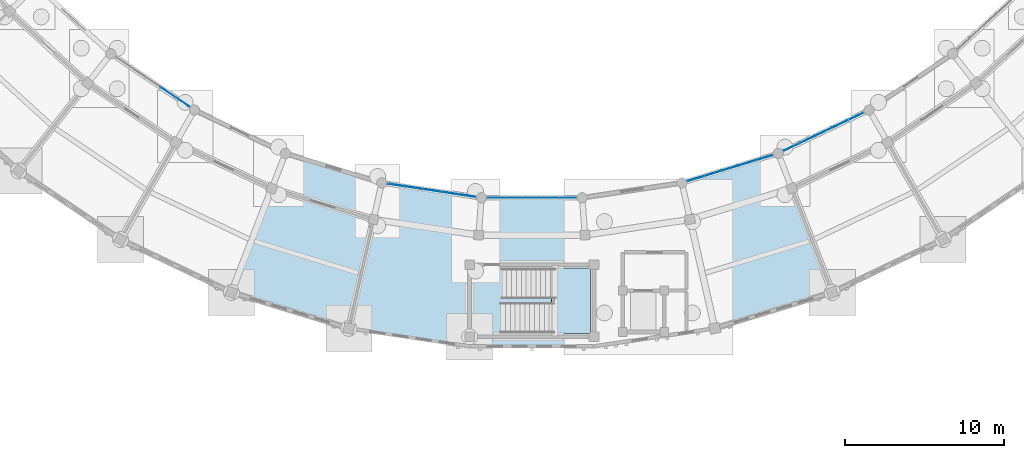
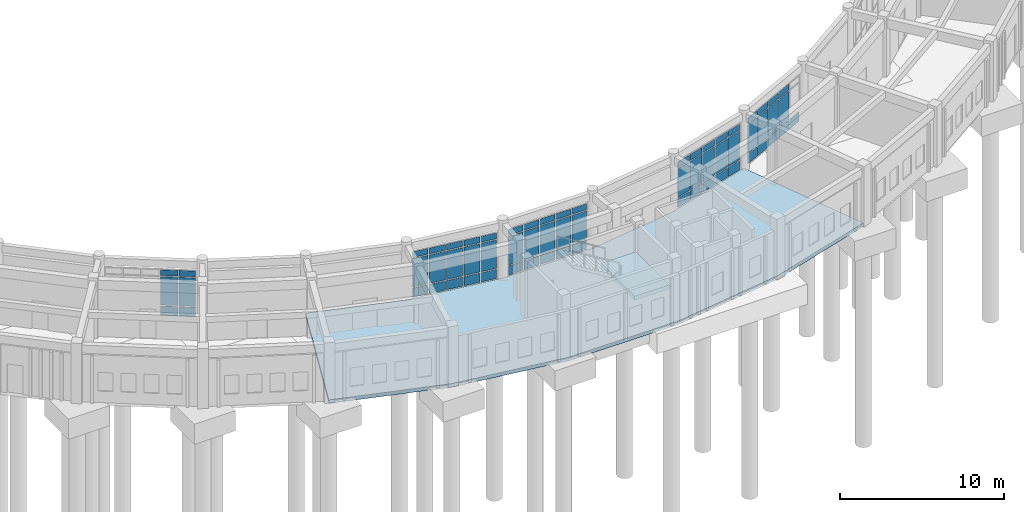
# One storey, part 105 of 153: 64 plates, 2 slabs, 6 elements without a shape of their own.
"""IFC4 building model written with IfcOpenShell, lengths in metres."""

from ifc_helpers import new_model, si_unit, direction, frame, origin, origin_2d, place, context, subcontext, project, spatial, polyline, rectangle, outline, extrude, material, layer, layer_set, type_object, element, aggregate, save


model = new_model("IFC4")

# Units and contexts
model_context = context("Model", 3, precision=1e-05, world=origin(), true_north=direction((0.0, 1.0)))
body_context = subcontext(model_context, "Body", "Model", "MODEL_VIEW")
ifc_project = project(units=[si_unit("LENGTHUNIT", "METRE"), si_unit("AREAUNIT", "SQUARE_METRE"), si_unit("VOLUMEUNIT", "CUBIC_METRE"), si_unit("PLANEANGLEUNIT", "RADIAN"), si_unit("MASSUNIT", "GRAM", prefix="KILO")], contexts=[model_context])

# Site, building, storey
site_placement = place(None, origin())
site = spatial("IfcSite", under=ifc_project, at=site_placement, CompositionType="ELEMENT")
building_placement = place(site_placement, origin())
building = spatial("IfcBuilding", under=site, at=building_placement, Name="Celadon Cloister-Ring School", CompositionType="ELEMENT")
storey_placement = place(building_placement, origin())
storey = spatial("IfcBuildingStorey", under=building, at=storey_placement, Name="L00", CompositionType="ELEMENT", Elevation=0.0)

# Curtain wall, plates
ifc_material_1 = material(Name="Aluminium EN AW-6063 T6", Category="aluminium")
curtain_wall_type = type_object("IfcCurtainWallType", Name="CW-01", PredefinedType="USERDEFINED", material=ifc_material_1)
curtain_wall_1_placement = place(storey_placement, origin())
curtain_wall_1 = element("IfcCurtainWall", 1, at=curtain_wall_1_placement, inside=storey, type_object=curtain_wall_type, Name="Curtain Wall 0008", ObjectType="CURTAIN WALL", PredefinedType="USERDEFINED")
ifc_material_2 = material(Name="Tempered laminated insulating glass", Category="glass")
ifc_layer_1 = layer(ifc_material_2, 0.028076171875)
ifc_layer_set_1 = layer_set([ifc_layer_1], Name="Tempered laminated insulating glass")
plate_type = type_object("IfcPlateType", Name="CPN-02", PredefinedType="CURTAIN_PANEL", material=ifc_layer_set_1)
plate_1_placement = place(storey_placement, frame((64.165771484375, 23.098388671875, 0.074951171875), z_axis=(0.0, 0.0, 1.0), x_axis=(0.829271759206, -0.558845550563, 0.0)))
plate_1 = element("IfcPlate", 2, at=plate_1_placement, type_object=plate_type, Name="CW-01 panel 4.1", PredefinedType="CURTAIN_PANEL", context=body_context, shape_type="SweptSolid", body=[
    extrude(rectangle(XDim=1.0537109375, YDim=0.028076171875, at=origin_2d()), origin(), (0.0, 0.0, 1.0), 0.6875),
])
plate_2_placement = place(storey_placement, frame((64.165771484375, 23.098388671875, 0.83740234375), z_axis=(0.0, 0.0, 1.0), x_axis=(0.829271759206, -0.558845550563, 0.0)))
plate_2 = element("IfcPlate", 3, at=plate_2_placement, type_object=plate_type, Name="CW-01 panel 4.2", PredefinedType="CURTAIN_PANEL", context=body_context, shape_type="SweptSolid", body=[
    extrude(rectangle(XDim=1.0537109375, YDim=0.028076171875, at=origin_2d()), origin(), (0.0, 0.0, 1.0), 2.125),
])
plate_3_placement = place(storey_placement, frame((64.165771484375, 23.098388671875, 3.03759765625), z_axis=(0.0, 0.0, 1.0), x_axis=(0.829271759206, -0.558845550563, 0.0)))
plate_3 = element("IfcPlate", 4, at=plate_3_placement, type_object=plate_type, Name="CW-01 panel 4.3", PredefinedType="CURTAIN_PANEL", context=body_context, shape_type="SweptSolid", body=[
    extrude(rectangle(XDim=1.0537109375, YDim=0.028076171875, at=origin_2d()), origin(), (0.0, 0.0, 1.0), 0.4375),
])
plate_4_placement = place(storey_placement, frame((65.08935546875, 22.47607421875, 0.074951171875), z_axis=(0.0, 0.0, 1.0), x_axis=(0.829271759206, -0.558845550563, 0.0)))
plate_4 = element("IfcPlate", 5, at=plate_4_placement, type_object=plate_type, Name="CW-01 panel 5.1", PredefinedType="CURTAIN_PANEL", context=body_context, shape_type="SweptSolid", body=[
    extrude(rectangle(XDim=1.013671875, YDim=0.028076171875, at=origin_2d()), origin(), (0.0, 0.0, 1.0), 0.6875),
])
plate_5_placement = place(storey_placement, frame((65.08935546875, 22.47607421875, 0.83740234375), z_axis=(0.0, 0.0, 1.0), x_axis=(0.829271759206, -0.558845550563, 0.0)))
plate_5 = element("IfcPlate", 6, at=plate_5_placement, type_object=plate_type, Name="CW-01 panel 5.2", PredefinedType="CURTAIN_PANEL", context=body_context, shape_type="SweptSolid", body=[
    extrude(rectangle(XDim=1.013671875, YDim=0.028076171875, at=origin_2d()), origin(), (0.0, 0.0, 1.0), 2.125),
])
plate_6_placement = place(storey_placement, frame((65.08935546875, 22.47607421875, 3.03759765625), z_axis=(0.0, 0.0, 1.0), x_axis=(0.829271759206, -0.558845550563, 0.0)))
plate_6 = element("IfcPlate", 7, at=plate_6_placement, type_object=plate_type, Name="CW-01 panel 5.3", PredefinedType="CURTAIN_PANEL", context=body_context, shape_type="SweptSolid", body=[
    extrude(rectangle(XDim=1.013671875, YDim=0.028076171875, at=origin_2d()), origin(), (0.0, 0.0, 1.0), 0.4375),
])
aggregate(curtain_wall_1, [plate_1, plate_2, plate_3, plate_4, plate_5, plate_6])

curtain_wall_2_placement = place(storey_placement, origin())
curtain_wall_2 = element("IfcCurtainWall", 8, at=curtain_wall_2_placement, inside=storey, type_object=curtain_wall_type, Name="Curtain Wall 0009", ObjectType="CURTAIN WALL", PredefinedType="USERDEFINED")
plate_7_placement = place(storey_placement, frame((78.493408203125, 17.266357421875, 0.074951171875), z_axis=(0.0, 0.0, 1.0), x_axis=(0.989015135282, -0.147814282744, 0.0)))
plate_7 = element("IfcPlate", 9, at=plate_7_placement, type_object=plate_type, Name="CW-01 panel 1.1", PredefinedType="CURTAIN_PANEL", context=body_context, shape_type="SweptSolid", body=[
    extrude(rectangle(XDim=1.013916015625, YDim=0.028076171875, at=origin_2d()), origin(), (0.0, 0.0, 1.0), 0.6875),
])
plate_8_placement = place(storey_placement, frame((78.493408203125, 17.266357421875, 0.83740234375), z_axis=(0.0, 0.0, 1.0), x_axis=(0.989015135282, -0.147814282744, 0.0)))
plate_8 = element("IfcPlate", 10, at=plate_8_placement, type_object=plate_type, Name="CW-01 panel 1.2", PredefinedType="CURTAIN_PANEL", context=body_context, shape_type="SweptSolid", body=[
    extrude(rectangle(XDim=1.013916015625, YDim=0.028076171875, at=origin_2d()), origin(), (0.0, 0.0, 1.0), 2.125),
])
plate_9_placement = place(storey_placement, frame((78.493408203125, 17.266357421875, 3.03759765625), z_axis=(0.0, 0.0, 1.0), x_axis=(0.989015135282, -0.147814282744, 0.0)))
plate_9 = element("IfcPlate", 11, at=plate_9_placement, type_object=plate_type, Name="CW-01 panel 1.3", PredefinedType="CURTAIN_PANEL", context=body_context, shape_type="SweptSolid", body=[
    extrude(rectangle(XDim=1.013916015625, YDim=0.028076171875, at=origin_2d()), origin(), (0.0, 0.0, 1.0), 0.4375),
])
plate_10_placement = place(storey_placement, frame((79.59521484375, 17.1015625, 0.074951171875), z_axis=(0.0, 0.0, 1.0), x_axis=(0.989015135282, -0.147814282744, 0.0)))
plate_10 = element("IfcPlate", 12, at=plate_10_placement, type_object=plate_type, Name="CW-01 panel 2.1", PredefinedType="CURTAIN_PANEL", context=body_context, shape_type="SweptSolid", body=[
    extrude(rectangle(XDim=1.053955078125, YDim=0.028076171875, at=origin_2d()), origin(), (0.0, 0.0, 1.0), 0.6875),
])
plate_11_placement = place(storey_placement, frame((79.59521484375, 17.1015625, 0.83740234375), z_axis=(0.0, 0.0, 1.0), x_axis=(0.989015135282, -0.147814282744, 0.0)))
plate_11 = element("IfcPlate", 13, at=plate_11_placement, type_object=plate_type, Name="CW-01 panel 2.2", PredefinedType="CURTAIN_PANEL", context=body_context, shape_type="SweptSolid", body=[
    extrude(rectangle(XDim=1.053955078125, YDim=0.028076171875, at=origin_2d()), origin(), (0.0, 0.0, 1.0), 2.125),
])
plate_12_placement = place(storey_placement, frame((79.59521484375, 17.1015625, 3.03759765625), z_axis=(0.0, 0.0, 1.0), x_axis=(0.989015135282, -0.147814282744, 0.0)))
plate_12 = element("IfcPlate", 14, at=plate_12_placement, type_object=plate_type, Name="CW-01 panel 2.3", PredefinedType="CURTAIN_PANEL", context=body_context, shape_type="SweptSolid", body=[
    extrude(rectangle(XDim=1.053955078125, YDim=0.028076171875, at=origin_2d()), origin(), (0.0, 0.0, 1.0), 0.4375),
])
plate_13_placement = place(storey_placement, frame((80.716552734375, 16.93408203125, 0.074951171875), z_axis=(0.0, 0.0, 1.0), x_axis=(0.989015135282, -0.147814282744, 0.0)))
plate_13 = element("IfcPlate", 15, at=plate_13_placement, type_object=plate_type, Name="CW-01 panel 3.1", PredefinedType="CURTAIN_PANEL", context=body_context, shape_type="SweptSolid", body=[
    extrude(rectangle(XDim=1.053955078125, YDim=0.028076171875, at=origin_2d()), origin(), (0.0, 0.0, 1.0), 0.6875),
])
plate_14_placement = place(storey_placement, frame((80.716552734375, 16.93408203125, 0.83740234375), z_axis=(0.0, 0.0, 1.0), x_axis=(0.989015135282, -0.147814282744, 0.0)))
plate_14 = element("IfcPlate", 16, at=plate_14_placement, type_object=plate_type, Name="CW-01 panel 3.2", PredefinedType="CURTAIN_PANEL", context=body_context, shape_type="SweptSolid", body=[
    extrude(rectangle(XDim=1.053955078125, YDim=0.028076171875, at=origin_2d()), origin(), (0.0, 0.0, 1.0), 2.125),
])
plate_15_placement = place(storey_placement, frame((80.716552734375, 16.93408203125, 3.03759765625), z_axis=(0.0, 0.0, 1.0), x_axis=(0.989015135282, -0.147814282744, 0.0)))
plate_15 = element("IfcPlate", 17, at=plate_15_placement, type_object=plate_type, Name="CW-01 panel 3.3", PredefinedType="CURTAIN_PANEL", context=body_context, shape_type="SweptSolid", body=[
    extrude(rectangle(XDim=1.053955078125, YDim=0.028076171875, at=origin_2d()), origin(), (0.0, 0.0, 1.0), 0.4375),
])
plate_16_placement = place(storey_placement, frame((81.837890625, 16.766357421875, 0.074951171875), z_axis=(0.0, 0.0, 1.0), x_axis=(0.989015135282, -0.147814282744, 0.0)))
plate_16 = element("IfcPlate", 18, at=plate_16_placement, type_object=plate_type, Name="CW-01 panel 4.1", PredefinedType="CURTAIN_PANEL", context=body_context, shape_type="SweptSolid", body=[
    extrude(rectangle(XDim=1.053955078125, YDim=0.028076171875, at=origin_2d()), origin(), (0.0, 0.0, 1.0), 0.6875),
])
plate_17_placement = place(storey_placement, frame((81.837890625, 16.766357421875, 0.83740234375), z_axis=(0.0, 0.0, 1.0), x_axis=(0.989015135282, -0.147814282744, 0.0)))
plate_17 = element("IfcPlate", 19, at=plate_17_placement, type_object=plate_type, Name="CW-01 panel 4.2", PredefinedType="CURTAIN_PANEL", context=body_context, shape_type="SweptSolid", body=[
    extrude(rectangle(XDim=1.053955078125, YDim=0.028076171875, at=origin_2d()), origin(), (0.0, 0.0, 1.0), 2.125),
])
plate_18_placement = place(storey_placement, frame((81.837890625, 16.766357421875, 3.03759765625), z_axis=(0.0, 0.0, 1.0), x_axis=(0.989015135282, -0.147814282744, 0.0)))
plate_18 = element("IfcPlate", 20, at=plate_18_placement, type_object=plate_type, Name="CW-01 panel 4.3", PredefinedType="CURTAIN_PANEL", context=body_context, shape_type="SweptSolid", body=[
    extrude(rectangle(XDim=1.053955078125, YDim=0.028076171875, at=origin_2d()), origin(), (0.0, 0.0, 1.0), 0.4375),
])
plate_19_placement = place(storey_placement, frame((82.939453125, 16.601806640625, 0.074951171875), z_axis=(0.0, 0.0, 1.0), x_axis=(0.989015135282, -0.147814282744, 0.0)))
plate_19 = element("IfcPlate", 21, at=plate_19_placement, type_object=plate_type, Name="CW-01 panel 5.1", PredefinedType="CURTAIN_PANEL", context=body_context, shape_type="SweptSolid", body=[
    extrude(rectangle(XDim=1.013916015625, YDim=0.028076171875, at=origin_2d()), origin(), (0.0, 0.0, 1.0), 0.6875),
])
plate_20_placement = place(storey_placement, frame((82.939453125, 16.601806640625, 0.83740234375), z_axis=(0.0, 0.0, 1.0), x_axis=(0.989015135282, -0.147814282744, 0.0)))
plate_20 = element("IfcPlate", 22, at=plate_20_placement, type_object=plate_type, Name="CW-01 panel 5.2", PredefinedType="CURTAIN_PANEL", context=body_context, shape_type="SweptSolid", body=[
    extrude(rectangle(XDim=1.013916015625, YDim=0.028076171875, at=origin_2d()), origin(), (0.0, 0.0, 1.0), 2.125),
])
plate_21_placement = place(storey_placement, frame((82.939453125, 16.601806640625, 3.03759765625), z_axis=(0.0, 0.0, 1.0), x_axis=(0.989015135282, -0.147814282744, 0.0)))
plate_21 = element("IfcPlate", 23, at=plate_21_placement, type_object=plate_type, Name="CW-01 panel 5.3", PredefinedType="CURTAIN_PANEL", context=body_context, shape_type="SweptSolid", body=[
    extrude(rectangle(XDim=1.013916015625, YDim=0.028076171875, at=origin_2d()), origin(), (0.0, 0.0, 1.0), 0.4375),
])
aggregate(curtain_wall_2, [plate_7, plate_8, plate_9, plate_10, plate_11, plate_12, plate_13, plate_14, plate_15, plate_16, plate_17, plate_18, plate_19, plate_20, plate_21])

curtain_wall_3_placement = place(storey_placement, origin())
curtain_wall_3 = element("IfcCurtainWall", 24, at=curtain_wall_3_placement, inside=storey, type_object=curtain_wall_type, Name="Curtain Wall 0010", ObjectType="CURTAIN WALL", PredefinedType="USERDEFINED")
plate_22_placement = place(storey_placement, frame((84.752685546875, 16.467041015625, 0.074951171875), z_axis=(0.0, 0.0, 1.0), x_axis=(1.0, 0.0, 0.0)))
plate_22 = element("IfcPlate", 25, at=plate_22_placement, type_object=plate_type, Name="CW-01 panel 1.1", PredefinedType="CURTAIN_PANEL", context=body_context, shape_type="SweptSolid", body=[
    extrude(rectangle(XDim=1.013671875, YDim=0.028076171875, at=origin_2d()), origin(), (0.0, 0.0, 1.0), 0.6875),
])
plate_23_placement = place(storey_placement, frame((84.752685546875, 16.467041015625, 0.83740234375), z_axis=(0.0, 0.0, 1.0), x_axis=(1.0, 0.0, 0.0)))
plate_23 = element("IfcPlate", 26, at=plate_23_placement, type_object=plate_type, Name="CW-01 panel 1.2", PredefinedType="CURTAIN_PANEL", context=body_context, shape_type="SweptSolid", body=[
    extrude(rectangle(XDim=1.013671875, YDim=0.028076171875, at=origin_2d()), origin(), (0.0, 0.0, 1.0), 2.125),
])
plate_24_placement = place(storey_placement, frame((84.752685546875, 16.467041015625, 3.03759765625), z_axis=(0.0, 0.0, 1.0), x_axis=(1.0, 0.0, 0.0)))
plate_24 = element("IfcPlate", 27, at=plate_24_placement, type_object=plate_type, Name="CW-01 panel 1.3", PredefinedType="CURTAIN_PANEL", context=body_context, shape_type="SweptSolid", body=[
    extrude(rectangle(XDim=1.013671875, YDim=0.028076171875, at=origin_2d()), origin(), (0.0, 0.0, 1.0), 0.4375),
])
plate_25_placement = place(storey_placement, frame((85.866455078125, 16.467041015625, 0.074951171875), z_axis=(0.0, 0.0, 1.0), x_axis=(1.0, 0.0, 0.0)))
plate_25 = element("IfcPlate", 28, at=plate_25_placement, type_object=plate_type, Name="CW-01 panel 2.1", PredefinedType="CURTAIN_PANEL", context=body_context, shape_type="SweptSolid", body=[
    extrude(rectangle(XDim=1.0537109375, YDim=0.028076171875, at=origin_2d()), origin(), (0.0, 0.0, 1.0), 0.6875),
])
plate_26_placement = place(storey_placement, frame((85.866455078125, 16.467041015625, 0.83740234375), z_axis=(0.0, 0.0, 1.0), x_axis=(1.0, 0.0, 0.0)))
plate_26 = element("IfcPlate", 29, at=plate_26_placement, type_object=plate_type, Name="CW-01 panel 2.2", PredefinedType="CURTAIN_PANEL", context=body_context, shape_type="SweptSolid", body=[
    extrude(rectangle(XDim=1.0537109375, YDim=0.028076171875, at=origin_2d()), origin(), (0.0, 0.0, 1.0), 2.125),
])
plate_27_placement = place(storey_placement, frame((85.866455078125, 16.467041015625, 3.03759765625), z_axis=(0.0, 0.0, 1.0), x_axis=(1.0, 0.0, 0.0)))
plate_27 = element("IfcPlate", 30, at=plate_27_placement, type_object=plate_type, Name="CW-01 panel 2.3", PredefinedType="CURTAIN_PANEL", context=body_context, shape_type="SweptSolid", body=[
    extrude(rectangle(XDim=1.0537109375, YDim=0.028076171875, at=origin_2d()), origin(), (0.0, 0.0, 1.0), 0.4375),
])
plate_28_placement = place(storey_placement, frame((87.0, 16.467041015625, 0.074951171875), z_axis=(0.0, 0.0, 1.0), x_axis=(1.0, 0.0, 0.0)))
plate_28 = element("IfcPlate", 31, at=plate_28_placement, type_object=plate_type, Name="CW-01 panel 3.1", PredefinedType="CURTAIN_PANEL", context=body_context, shape_type="SweptSolid", body=[
    extrude(rectangle(XDim=1.0537109375, YDim=0.028076171875, at=origin_2d()), origin(), (0.0, 0.0, 1.0), 0.6875),
])
plate_29_placement = place(storey_placement, frame((87.0, 16.467041015625, 0.83740234375), z_axis=(0.0, 0.0, 1.0), x_axis=(1.0, 0.0, 0.0)))
plate_29 = element("IfcPlate", 32, at=plate_29_placement, type_object=plate_type, Name="CW-01 panel 3.2", PredefinedType="CURTAIN_PANEL", context=body_context, shape_type="SweptSolid", body=[
    extrude(rectangle(XDim=1.0537109375, YDim=0.028076171875, at=origin_2d()), origin(), (0.0, 0.0, 1.0), 2.125),
])
plate_30_placement = place(storey_placement, frame((87.0, 16.467041015625, 3.03759765625), z_axis=(0.0, 0.0, 1.0), x_axis=(1.0, 0.0, 0.0)))
plate_30 = element("IfcPlate", 33, at=plate_30_placement, type_object=plate_type, Name="CW-01 panel 3.3", PredefinedType="CURTAIN_PANEL", context=body_context, shape_type="SweptSolid", body=[
    extrude(rectangle(XDim=1.0537109375, YDim=0.028076171875, at=origin_2d()), origin(), (0.0, 0.0, 1.0), 0.4375),
])
plate_31_placement = place(storey_placement, frame((88.133544921875, 16.467041015625, 0.074951171875), z_axis=(0.0, 0.0, 1.0), x_axis=(1.0, 0.0, 0.0)))
plate_31 = element("IfcPlate", 34, at=plate_31_placement, type_object=plate_type, Name="CW-01 panel 4.1", PredefinedType="CURTAIN_PANEL", context=body_context, shape_type="SweptSolid", body=[
    extrude(rectangle(XDim=1.0537109375, YDim=0.028076171875, at=origin_2d()), origin(), (0.0, 0.0, 1.0), 0.6875),
])
plate_32_placement = place(storey_placement, frame((88.133544921875, 16.467041015625, 0.83740234375), z_axis=(0.0, 0.0, 1.0), x_axis=(1.0, 0.0, 0.0)))
plate_32 = element("IfcPlate", 35, at=plate_32_placement, type_object=plate_type, Name="CW-01 panel 4.2", PredefinedType="CURTAIN_PANEL", context=body_context, shape_type="SweptSolid", body=[
    extrude(rectangle(XDim=1.0537109375, YDim=0.028076171875, at=origin_2d()), origin(), (0.0, 0.0, 1.0), 2.125),
])
plate_33_placement = place(storey_placement, frame((88.133544921875, 16.467041015625, 3.03759765625), z_axis=(0.0, 0.0, 1.0), x_axis=(1.0, 0.0, 0.0)))
plate_33 = element("IfcPlate", 36, at=plate_33_placement, type_object=plate_type, Name="CW-01 panel 4.3", PredefinedType="CURTAIN_PANEL", context=body_context, shape_type="SweptSolid", body=[
    extrude(rectangle(XDim=1.0537109375, YDim=0.028076171875, at=origin_2d()), origin(), (0.0, 0.0, 1.0), 0.4375),
])
plate_34_placement = place(storey_placement, frame((89.247314453125, 16.467041015625, 0.074951171875), z_axis=(0.0, 0.0, 1.0), x_axis=(1.0, 0.0, 0.0)))
plate_34 = element("IfcPlate", 37, at=plate_34_placement, type_object=plate_type, Name="CW-01 panel 5.1", PredefinedType="CURTAIN_PANEL", context=body_context, shape_type="SweptSolid", body=[
    extrude(rectangle(XDim=1.013671875, YDim=0.028076171875, at=origin_2d()), origin(), (0.0, 0.0, 1.0), 0.6875),
])
plate_35_placement = place(storey_placement, frame((89.247314453125, 16.467041015625, 0.83740234375), z_axis=(0.0, 0.0, 1.0), x_axis=(1.0, 0.0, 0.0)))
plate_35 = element("IfcPlate", 38, at=plate_35_placement, type_object=plate_type, Name="CW-01 panel 5.2", PredefinedType="CURTAIN_PANEL", context=body_context, shape_type="SweptSolid", body=[
    extrude(rectangle(XDim=1.013671875, YDim=0.028076171875, at=origin_2d()), origin(), (0.0, 0.0, 1.0), 2.125),
])
plate_36_placement = place(storey_placement, frame((89.247314453125, 16.467041015625, 3.03759765625), z_axis=(0.0, 0.0, 1.0), x_axis=(1.0, 0.0, 0.0)))
plate_36 = element("IfcPlate", 39, at=plate_36_placement, type_object=plate_type, Name="CW-01 panel 5.3", PredefinedType="CURTAIN_PANEL", context=body_context, shape_type="SweptSolid", body=[
    extrude(rectangle(XDim=1.013671875, YDim=0.028076171875, at=origin_2d()), origin(), (0.0, 0.0, 1.0), 0.4375),
])
aggregate(curtain_wall_3, [plate_22, plate_23, plate_24, plate_25, plate_26, plate_27, plate_28, plate_29, plate_30, plate_31, plate_32, plate_33, plate_34, plate_35, plate_36])

curtain_wall_4_placement = place(storey_placement, origin())
curtain_wall_4 = element("IfcCurtainWall", 40, at=curtain_wall_4_placement, inside=storey, type_object=curtain_wall_type, Name="Curtain Wall 0011", ObjectType="CURTAIN WALL", PredefinedType="USERDEFINED")
plate_37_placement = place(storey_placement, frame((97.2802734375, 17.66748046875, 0.074951171875), z_axis=(0.0, 0.0, 1.0), x_axis=(0.956372111578, 0.2921513036, 0.0)))
plate_37 = element("IfcPlate", 41, at=plate_37_placement, type_object=plate_type, Name="CW-01 panel 1.1", PredefinedType="CURTAIN_PANEL", context=body_context, shape_type="SweptSolid", body=[
    extrude(rectangle(XDim=1.013671875, YDim=0.028076171875, at=origin_2d()), origin(), (0.0, 0.0, 1.0), 0.6875),
])
plate_38_placement = place(storey_placement, frame((97.2802734375, 17.66748046875, 0.83740234375), z_axis=(0.0, 0.0, 1.0), x_axis=(0.956372111578, 0.2921513036, 0.0)))
plate_38 = element("IfcPlate", 42, at=plate_38_placement, type_object=plate_type, Name="CW-01 panel 1.2", PredefinedType="CURTAIN_PANEL", context=body_context, shape_type="SweptSolid", body=[
    extrude(rectangle(XDim=1.013671875, YDim=0.028076171875, at=origin_2d()), origin(), (0.0, 0.0, 1.0), 2.125),
])
plate_39_placement = place(storey_placement, frame((97.2802734375, 17.66748046875, 3.03759765625), z_axis=(0.0, 0.0, 1.0), x_axis=(0.956372111578, 0.2921513036, 0.0)))
plate_39 = element("IfcPlate", 43, at=plate_39_placement, type_object=plate_type, Name="CW-01 panel 1.3", PredefinedType="CURTAIN_PANEL", context=body_context, shape_type="SweptSolid", body=[
    extrude(rectangle(XDim=1.013671875, YDim=0.028076171875, at=origin_2d()), origin(), (0.0, 0.0, 1.0), 0.4375),
])
plate_40_placement = place(storey_placement, frame((98.34521484375, 17.992919921875, 0.074951171875), z_axis=(0.0, 0.0, 1.0), x_axis=(0.956372111578, 0.2921513036, 0.0)))
plate_40 = element("IfcPlate", 44, at=plate_40_placement, type_object=plate_type, Name="CW-01 panel 2.1", PredefinedType="CURTAIN_PANEL", context=body_context, shape_type="SweptSolid", body=[
    extrude(rectangle(XDim=1.0537109375, YDim=0.028076171875, at=origin_2d()), origin(), (0.0, 0.0, 1.0), 0.6875),
])
plate_41_placement = place(storey_placement, frame((98.34521484375, 17.992919921875, 0.83740234375), z_axis=(0.0, 0.0, 1.0), x_axis=(0.956372111578, 0.2921513036, 0.0)))
plate_41 = element("IfcPlate", 45, at=plate_41_placement, type_object=plate_type, Name="CW-01 panel 2.2", PredefinedType="CURTAIN_PANEL", context=body_context, shape_type="SweptSolid", body=[
    extrude(rectangle(XDim=1.0537109375, YDim=0.028076171875, at=origin_2d()), origin(), (0.0, 0.0, 1.0), 2.125),
])
plate_42_placement = place(storey_placement, frame((98.34521484375, 17.992919921875, 3.03759765625), z_axis=(0.0, 0.0, 1.0), x_axis=(0.956372111578, 0.2921513036, 0.0)))
plate_42 = element("IfcPlate", 46, at=plate_42_placement, type_object=plate_type, Name="CW-01 panel 2.3", PredefinedType="CURTAIN_PANEL", context=body_context, shape_type="SweptSolid", body=[
    extrude(rectangle(XDim=1.0537109375, YDim=0.028076171875, at=origin_2d()), origin(), (0.0, 0.0, 1.0), 0.4375),
])
plate_43_placement = place(storey_placement, frame((99.429443359375, 18.323974609375, 0.074951171875), z_axis=(0.0, 0.0, 1.0), x_axis=(0.956372111578, 0.2921513036, 0.0)))
plate_43 = element("IfcPlate", 47, at=plate_43_placement, type_object=plate_type, Name="CW-01 panel 3.1", PredefinedType="CURTAIN_PANEL", context=body_context, shape_type="SweptSolid", body=[
    extrude(rectangle(XDim=1.0537109375, YDim=0.028076171875, at=origin_2d()), origin(), (0.0, 0.0, 1.0), 0.6875),
])
plate_44_placement = place(storey_placement, frame((99.429443359375, 18.323974609375, 0.83740234375), z_axis=(0.0, 0.0, 1.0), x_axis=(0.956372111578, 0.2921513036, 0.0)))
plate_44 = element("IfcPlate", 48, at=plate_44_placement, type_object=plate_type, Name="CW-01 panel 3.2", PredefinedType="CURTAIN_PANEL", context=body_context, shape_type="SweptSolid", body=[
    extrude(rectangle(XDim=1.0537109375, YDim=0.028076171875, at=origin_2d()), origin(), (0.0, 0.0, 1.0), 2.125),
])
plate_45_placement = place(storey_placement, frame((99.429443359375, 18.323974609375, 3.03759765625), z_axis=(0.0, 0.0, 1.0), x_axis=(0.956372111578, 0.2921513036, 0.0)))
plate_45 = element("IfcPlate", 49, at=plate_45_placement, type_object=plate_type, Name="CW-01 panel 3.3", PredefinedType="CURTAIN_PANEL", context=body_context, shape_type="SweptSolid", body=[
    extrude(rectangle(XDim=1.0537109375, YDim=0.028076171875, at=origin_2d()), origin(), (0.0, 0.0, 1.0), 0.4375),
])
plate_46_placement = place(storey_placement, frame((100.513671875, 18.6552734375, 0.074951171875), z_axis=(0.0, 0.0, 1.0), x_axis=(0.956372111578, 0.2921513036, 0.0)))
plate_46 = element("IfcPlate", 50, at=plate_46_placement, type_object=plate_type, Name="CW-01 panel 4.1", PredefinedType="CURTAIN_PANEL", context=body_context, shape_type="SweptSolid", body=[
    extrude(rectangle(XDim=1.0537109375, YDim=0.028076171875, at=origin_2d()), origin(), (0.0, 0.0, 1.0), 0.6875),
])
plate_47_placement = place(storey_placement, frame((100.513671875, 18.6552734375, 0.83740234375), z_axis=(0.0, 0.0, 1.0), x_axis=(0.956372111578, 0.2921513036, 0.0)))
plate_47 = element("IfcPlate", 51, at=plate_47_placement, type_object=plate_type, Name="CW-01 panel 4.2", PredefinedType="CURTAIN_PANEL", context=body_context, shape_type="SweptSolid", body=[
    extrude(rectangle(XDim=1.0537109375, YDim=0.028076171875, at=origin_2d()), origin(), (0.0, 0.0, 1.0), 2.125),
])
plate_48_placement = place(storey_placement, frame((100.513671875, 18.6552734375, 3.03759765625), z_axis=(0.0, 0.0, 1.0), x_axis=(0.956372111578, 0.2921513036, 0.0)))
plate_48 = element("IfcPlate", 52, at=plate_48_placement, type_object=plate_type, Name="CW-01 panel 4.3", PredefinedType="CURTAIN_PANEL", context=body_context, shape_type="SweptSolid", body=[
    extrude(rectangle(XDim=1.0537109375, YDim=0.028076171875, at=origin_2d()), origin(), (0.0, 0.0, 1.0), 0.4375),
])
plate_49_placement = place(storey_placement, frame((101.578857421875, 18.98046875, 0.074951171875), z_axis=(0.0, 0.0, 1.0), x_axis=(0.956372111578, 0.2921513036, 0.0)))
plate_49 = element("IfcPlate", 53, at=plate_49_placement, type_object=plate_type, Name="CW-01 panel 5.1", PredefinedType="CURTAIN_PANEL", context=body_context, shape_type="SweptSolid", body=[
    extrude(rectangle(XDim=1.013671875, YDim=0.028076171875, at=origin_2d()), origin(), (0.0, 0.0, 1.0), 0.6875),
])
plate_50_placement = place(storey_placement, frame((101.578857421875, 18.98046875, 0.83740234375), z_axis=(0.0, 0.0, 1.0), x_axis=(0.956372111578, 0.2921513036, 0.0)))
plate_50 = element("IfcPlate", 54, at=plate_50_placement, type_object=plate_type, Name="CW-01 panel 5.2", PredefinedType="CURTAIN_PANEL", context=body_context, shape_type="SweptSolid", body=[
    extrude(rectangle(XDim=1.013671875, YDim=0.028076171875, at=origin_2d()), origin(), (0.0, 0.0, 1.0), 2.125),
])
plate_51_placement = place(storey_placement, frame((101.578857421875, 18.98046875, 3.03759765625), z_axis=(0.0, 0.0, 1.0), x_axis=(0.956372111578, 0.2921513036, 0.0)))
plate_51 = element("IfcPlate", 55, at=plate_51_placement, type_object=plate_type, Name="CW-01 panel 5.3", PredefinedType="CURTAIN_PANEL", context=body_context, shape_type="SweptSolid", body=[
    extrude(rectangle(XDim=1.013671875, YDim=0.028076171875, at=origin_2d()), origin(), (0.0, 0.0, 1.0), 0.4375),
])
aggregate(curtain_wall_4, [plate_37, plate_38, plate_39, plate_40, plate_41, plate_42, plate_43, plate_44, plate_45, plate_46, plate_47, plate_48, plate_49, plate_50, plate_51])

curtain_wall_5_placement = place(storey_placement, origin())
curtain_wall_5 = element("IfcCurtainWall", 56, at=curtain_wall_5_placement, inside=storey, type_object=curtain_wall_type, Name="Curtain Wall 0012", ObjectType="CURTAIN WALL", PredefinedType="USERDEFINED")
plate_52_placement = place(storey_placement, frame((103.27392578125, 19.639404296875, 0.074951171875), z_axis=(0.0, 0.0, 1.0), x_axis=(0.902733326361, 0.430200582842, 0.0)))
plate_52 = element("IfcPlate", 57, at=plate_52_placement, type_object=plate_type, Name="CW-01 panel 1.1", PredefinedType="CURTAIN_PANEL", context=body_context, shape_type="SweptSolid", body=[
    extrude(rectangle(XDim=1.013916015625, YDim=0.028076171875, at=origin_2d()), origin(), (0.0, 0.0, 1.0), 0.6875),
])
plate_53_placement = place(storey_placement, frame((103.27392578125, 19.639404296875, 0.83740234375), z_axis=(0.0, 0.0, 1.0), x_axis=(0.902733326361, 0.430200582842, 0.0)))
plate_53 = element("IfcPlate", 58, at=plate_53_placement, type_object=plate_type, Name="CW-01 panel 1.2", PredefinedType="CURTAIN_PANEL", context=body_context, shape_type="SweptSolid", body=[
    extrude(rectangle(XDim=1.013916015625, YDim=0.028076171875, at=origin_2d()), origin(), (0.0, 0.0, 1.0), 2.125),
])
plate_54_placement = place(storey_placement, frame((103.27392578125, 19.639404296875, 3.03759765625), z_axis=(0.0, 0.0, 1.0), x_axis=(0.902733326361, 0.430200582842, 0.0)))
plate_54 = element("IfcPlate", 59, at=plate_54_placement, type_object=plate_type, Name="CW-01 panel 1.3", PredefinedType="CURTAIN_PANEL", context=body_context, shape_type="SweptSolid", body=[
    extrude(rectangle(XDim=1.013916015625, YDim=0.028076171875, at=origin_2d()), origin(), (0.0, 0.0, 1.0), 0.4375),
])
plate_55_placement = place(storey_placement, frame((104.279296875, 20.11865234375, 0.074951171875), z_axis=(0.0, 0.0, 1.0), x_axis=(0.902733326361, 0.430200582842, 0.0)))
plate_55 = element("IfcPlate", 60, at=plate_55_placement, type_object=plate_type, Name="CW-01 panel 2.1", PredefinedType="CURTAIN_PANEL", context=body_context, shape_type="SweptSolid", body=[
    extrude(rectangle(XDim=1.053955078125, YDim=0.028076171875, at=origin_2d()), origin(), (0.0, 0.0, 1.0), 0.6875),
])
plate_56_placement = place(storey_placement, frame((104.279296875, 20.11865234375, 0.83740234375), z_axis=(0.0, 0.0, 1.0), x_axis=(0.902733326361, 0.430200582842, 0.0)))
plate_56 = element("IfcPlate", 61, at=plate_56_placement, type_object=plate_type, Name="CW-01 panel 2.2", PredefinedType="CURTAIN_PANEL", context=body_context, shape_type="SweptSolid", body=[
    extrude(rectangle(XDim=1.053955078125, YDim=0.028076171875, at=origin_2d()), origin(), (0.0, 0.0, 1.0), 2.125),
])
plate_57_placement = place(storey_placement, frame((104.279296875, 20.11865234375, 3.03759765625), z_axis=(0.0, 0.0, 1.0), x_axis=(0.902733326361, 0.430200582842, 0.0)))
plate_57 = element("IfcPlate", 62, at=plate_57_placement, type_object=plate_type, Name="CW-01 panel 2.3", PredefinedType="CURTAIN_PANEL", context=body_context, shape_type="SweptSolid", body=[
    extrude(rectangle(XDim=1.053955078125, YDim=0.028076171875, at=origin_2d()), origin(), (0.0, 0.0, 1.0), 0.4375),
])
plate_58_placement = place(storey_placement, frame((105.302978515625, 20.6064453125, 0.074951171875), z_axis=(0.0, 0.0, 1.0), x_axis=(0.902733326361, 0.430200582842, 0.0)))
plate_58 = element("IfcPlate", 63, at=plate_58_placement, type_object=plate_type, Name="CW-01 panel 3.1", PredefinedType="CURTAIN_PANEL", context=body_context, shape_type="SweptSolid", body=[
    extrude(rectangle(XDim=1.053955078125, YDim=0.028076171875, at=origin_2d()), origin(), (0.0, 0.0, 1.0), 0.6875),
])
plate_59_placement = place(storey_placement, frame((105.302978515625, 20.6064453125, 0.83740234375), z_axis=(0.0, 0.0, 1.0), x_axis=(0.902733326361, 0.430200582842, 0.0)))
plate_59 = element("IfcPlate", 64, at=plate_59_placement, type_object=plate_type, Name="CW-01 panel 3.2", PredefinedType="CURTAIN_PANEL", context=body_context, shape_type="SweptSolid", body=[
    extrude(rectangle(XDim=1.053955078125, YDim=0.028076171875, at=origin_2d()), origin(), (0.0, 0.0, 1.0), 2.125),
])
plate_60_placement = place(storey_placement, frame((105.302978515625, 20.6064453125, 3.03759765625), z_axis=(0.0, 0.0, 1.0), x_axis=(0.902733326361, 0.430200582842, 0.0)))
plate_60 = element("IfcPlate", 65, at=plate_60_placement, type_object=plate_type, Name="CW-01 panel 3.3", PredefinedType="CURTAIN_PANEL", context=body_context, shape_type="SweptSolid", body=[
    extrude(rectangle(XDim=1.053955078125, YDim=0.028076171875, at=origin_2d()), origin(), (0.0, 0.0, 1.0), 0.4375),
])
plate_61_placement = place(storey_placement, frame((106.32666015625, 21.09423828125, 0.074951171875), z_axis=(0.0, 0.0, 1.0), x_axis=(0.902733326361, 0.430200582842, 0.0)))
plate_61 = element("IfcPlate", 66, at=plate_61_placement, type_object=plate_type, Name="CW-01 panel 4.1", PredefinedType="CURTAIN_PANEL", context=body_context, shape_type="SweptSolid", body=[
    extrude(rectangle(XDim=1.053955078125, YDim=0.028076171875, at=origin_2d()), origin(), (0.0, 0.0, 1.0), 0.6875),
])
plate_62_placement = place(storey_placement, frame((106.32666015625, 21.09423828125, 0.83740234375), z_axis=(0.0, 0.0, 1.0), x_axis=(0.902733326361, 0.430200582842, 0.0)))
plate_62 = element("IfcPlate", 67, at=plate_62_placement, type_object=plate_type, Name="CW-01 panel 4.2", PredefinedType="CURTAIN_PANEL", context=body_context, shape_type="SweptSolid", body=[
    extrude(rectangle(XDim=1.053955078125, YDim=0.028076171875, at=origin_2d()), origin(), (0.0, 0.0, 1.0), 2.125),
])
plate_63_placement = place(storey_placement, frame((106.32666015625, 21.09423828125, 3.03759765625), z_axis=(0.0, 0.0, 1.0), x_axis=(0.902733326361, 0.430200582842, 0.0)))
plate_63 = element("IfcPlate", 68, at=plate_63_placement, type_object=plate_type, Name="CW-01 panel 4.3", PredefinedType="CURTAIN_PANEL", context=body_context, shape_type="SweptSolid", body=[
    extrude(rectangle(XDim=1.053955078125, YDim=0.028076171875, at=origin_2d()), origin(), (0.0, 0.0, 1.0), 0.4375),
])
plate_64_placement = place(storey_placement, frame((107.33203125, 21.573486328125, 0.074951171875), z_axis=(0.0, 0.0, 1.0), x_axis=(0.902733326361, 0.430200582842, 0.0)))
plate_64 = element("IfcPlate", 69, at=plate_64_placement, type_object=plate_type, Name="CW-01 panel 5.1", PredefinedType="CURTAIN_PANEL", context=body_context, shape_type="SweptSolid", body=[
    extrude(rectangle(XDim=1.013916015625, YDim=0.028076171875, at=origin_2d()), origin(), (0.0, 0.0, 1.0), 0.6875),
])
aggregate(curtain_wall_5, [plate_52, plate_53, plate_54, plate_55, plate_56, plate_57, plate_58, plate_59, plate_60, plate_61, plate_62, plate_63, plate_64])

# Slab
ifc_material_3 = material(Name="Concrete C35/45", Category="concrete")
ifc_layer_2 = layer(ifc_material_3, 0.260009765625)
ifc_layer_set_2 = layer_set([ifc_layer_2], Name="Concrete C35/45")
slab_type_1 = type_object("IfcSlabType", Name="SL-BS1", PredefinedType="BASESLAB", material=ifc_layer_set_2)
slab_1_placement = place(storey_placement, frame((0.0, 0.0, -0.260009765625)))
element("IfcSlab", 70, at=slab_1_placement, inside=storey, type_object=slab_type_1, Name="Ring L00 Sector 0004", PredefinedType="BASESLAB", context=body_context, shape_type="SweptSolid", body=[
    extrude(outline(polyline([(68.162109375, 10.531982421875), (75.529052734375, 8.281005859375), (83.14794921875, 7.14306640625), (90.85205078125, 7.14306640625), (98.470947265625, 8.281005859375), (105.837890625, 10.531982421875), (102.450927734375, 19.2470703125), (96.407958984375, 17.40087890625), (90.158935546875, 16.467041015625), (83.841064453125, 16.467041015625), (77.592041015625, 17.40087890625), (71.549072265625, 19.2470703125), (68.162109375, 10.531982421875)])), origin(), (0.0, 0.0, 1.0), 0.260009765625),
])

# Stair, slab
ifc_material_4 = material(Name="Concrete C35/45", Category="concrete")
stair_type = type_object("IfcStairType", Name="ST-03", PredefinedType="HALF_TURN_STAIR", material=ifc_material_4)
stair_placement = place(storey_placement, origin())
stair = element("IfcStair", 71, at=stair_placement, inside=storey, type_object=stair_type, Name="Exit Stair ST-V1S L00", PredefinedType="HALF_TURN_STAIR")
ifc_material_5 = material(Name="Concrete C35/45", Category="concrete")
ifc_layer_3 = layer(ifc_material_5, 0.300048828125)
ifc_layer_set_3 = layer_set([ifc_layer_3], Name="Concrete C35/45")
slab_type_2 = type_object("IfcSlabType", Name="SL-LD2", PredefinedType="LANDING", material=ifc_layer_set_3)
slab_2_placement = place(storey_placement, frame((0.0, 0.0, 1.949951171875)))
slab_2 = element("IfcSlab", 72, at=slab_2_placement, type_object=slab_type_2, Name="ST-03 landing 1", PredefinedType="LANDING", context=body_context, shape_type="SweptSolid", body=[
    extrude(outline(polyline([(88.235107421875, 7.969970703125), (90.679931640625, 7.969970703125), (90.679931640625, 12.050048828125), (88.235107421875, 12.050048828125), (88.235107421875, 7.969970703125)])), origin(), (0.0, 0.0, 1.0), 0.300048828125),
])
aggregate(stair, [slab_2])

save(model, "model.ifc")
